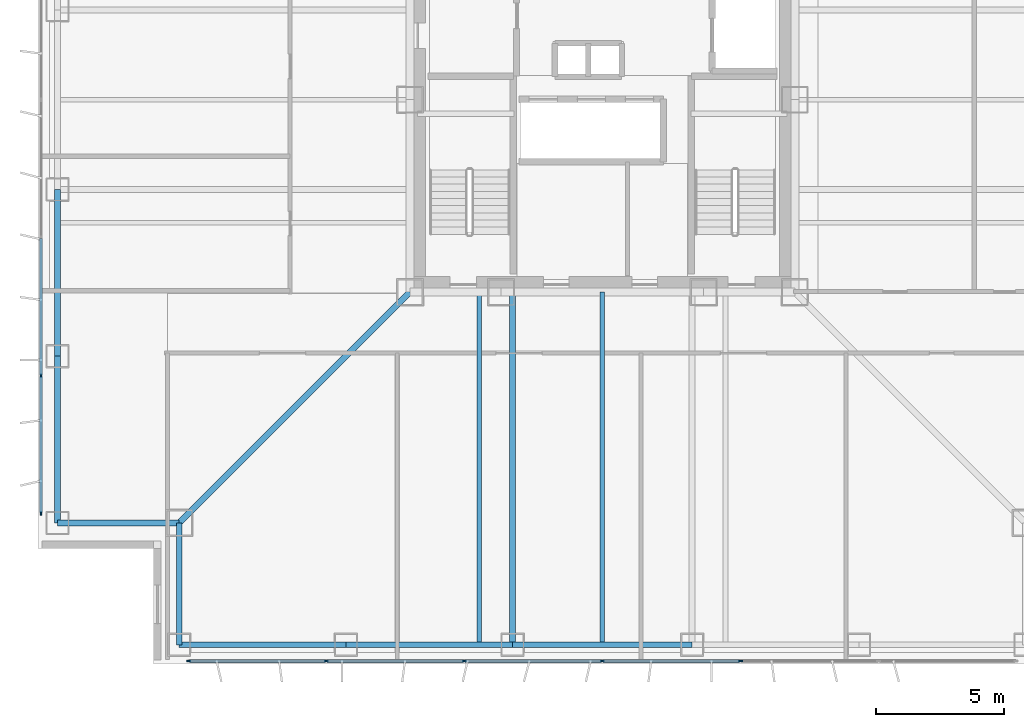
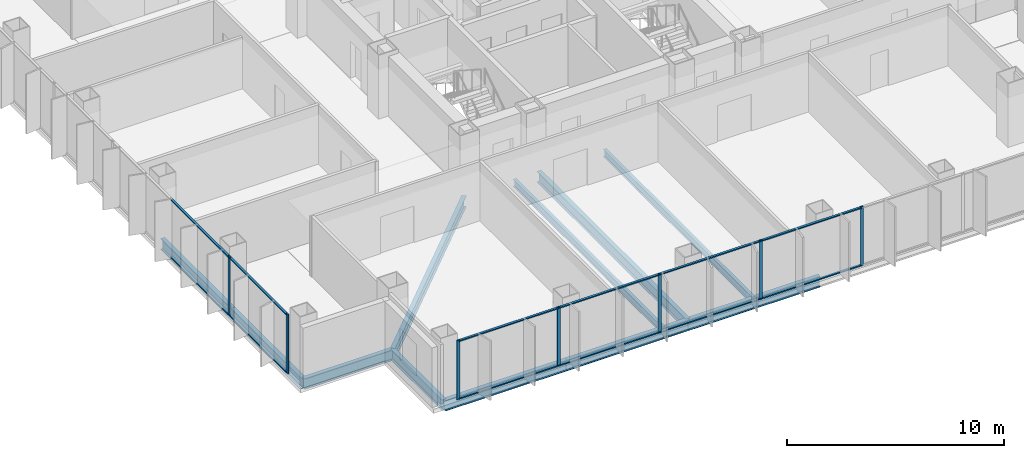
# One storey, part 2 of 14: 19 members, 11 beams, 2 elements without a shape of their own.
"""IFC4 building model written with IfcOpenShell, lengths in metres."""

from ifc_helpers import new_model, si_unit, direction, frame, origin, origin_2d, place, context, subcontext, project, spatial, rectangle, i_section, extrude, material, layer, layer_set, material_profile, profile_set, type_object, element, aggregate, save


model = new_model("IFC4")

# Units and contexts
model_context = context("Model", 3, precision=1e-05, world=origin(), true_north=direction((0.0, 1.0)))
body_context = subcontext(model_context, "Body", "Model", "MODEL_VIEW")
ifc_project = project(units=[si_unit("LENGTHUNIT", "METRE"), si_unit("AREAUNIT", "SQUARE_METRE"), si_unit("VOLUMEUNIT", "CUBIC_METRE"), si_unit("PLANEANGLEUNIT", "RADIAN"), si_unit("MASSUNIT", "GRAM", prefix="KILO")], contexts=[model_context])

# Site, building, storey
site_placement = place(None, origin())
site = spatial("IfcSite", under=ifc_project, at=site_placement, CompositionType="ELEMENT")
building_placement = place(site_placement, origin())
building = spatial("IfcBuilding", under=site, at=building_placement, Name="Trevonay Congress Spire", CompositionType="ELEMENT")
storey_placement = place(building_placement, frame((0.0, 0.0, 137.199951171875)))
storey = spatial("IfcBuildingStorey", under=building, at=storey_placement, Name="L35", CompositionType="ELEMENT", Elevation=137.199951171875)

# Beams
ifc_material_1 = material(Name="Steel ASTM A572 Grade 50", Category="steel")
ifc_material_profile_1 = material_profile(ifc_material_1, i_section(OverallWidth=0.22998046875, OverallDepth=0.616943359375, WebThickness=0.01318359375, FlangeThickness=0.022216796875, FilletRadius=0.01611328125, at=origin_2d()), Name="W610x140")
ifc_profile_set_1 = profile_set([ifc_material_profile_1], Name="Steel ASTM A572 Grade 50")
beam_type_1 = type_object("IfcBeamType", Name="BM-GIRD-W610X140", PredefinedType="BEAM", material=ifc_profile_set_1)
beam_1_placement = place(storey_placement, frame((-7.5, -7.5, -0.54833984375), z_axis=(-0.707106781187, -0.707106781187, 0.0), x_axis=(0.707106781187, -0.707106781187, 0.0)))
element("IfcBeam", 1, at=beam_1_placement, inside=storey, type_object=beam_type_1, Name="L35 structural beam BM-L35-CDSW", PredefinedType="BEAM", context=body_context, shape_type="SweptSolid", body=[
    extrude(i_section(OverallWidth=0.22998046875, OverallDepth=0.616943359375, WebThickness=0.01318359375, FlangeThickness=0.022216796875, FilletRadius=0.01611328125, at=origin_2d()), origin(), (0.0, 0.0, 1.0), 12.72802734375),
])
beam_2_placement = place(storey_placement, frame((-3.5, -7.5, -0.54833984375), z_axis=(0.0, -1.0, 0.0), x_axis=(1.0, 0.0, 0.0)))
element("IfcBeam", 2, at=beam_2_placement, inside=storey, type_object=beam_type_1, Name="L35 structural beam BM-L35-GS-M", PredefinedType="BEAM", context=body_context, shape_type="SweptSolid", body=[
    extrude(i_section(OverallWidth=0.22998046875, OverallDepth=0.616943359375, WebThickness=0.01318359375, FlangeThickness=0.022216796875, FilletRadius=0.01611328125, at=origin_2d()), origin(), (0.0, 0.0, 1.0), 13.75),
])
ifc_material_profile_2 = material_profile(ifc_material_1, i_section(OverallWidth=0.22802734375, OverallDepth=0.60791015625, WebThickness=0.01123046875, FlangeThickness=0.017333984375, FilletRadius=0.01611328125, at=origin_2d()), Name="W610x113")
ifc_profile_set_2 = profile_set([ifc_material_profile_2], Name="Steel ASTM A572 Grade 50")
beam_type_2 = type_object("IfcBeamType", Name="BM-RING-W610X113", PredefinedType="BEAM", material=ifc_profile_set_2)
for number, where, z_axis, x_axis, name in (
    (3, (-16.5, -21.25, -0.5439453125), (1.0, 0.0, 0.0), (0.0, 1.0, 0.0), "L35 structural beam BM-L35-PS1"),
    (4, (-21.25, -16.5, -0.5439453125), (0.0, 1.0, 0.0), (-1.0, 0.0, 0.0), "L35 structural beam BM-L35-PW1"),
    (5, (-10.0, -21.25, -0.5439453125), (1.0, 0.0, 0.0), (0.0, 1.0, 0.0), "L35 structural beam BM-L35-PS2"),
    (6, (-21.25, -10.0, -0.5439453125), (0.0, 1.0, 0.0), (-1.0, 0.0, 0.0), "L35 structural beam BM-L35-PW2"),
):
    element("IfcBeam", number, at=place(storey_placement, frame(where, z_axis=z_axis, x_axis=x_axis)), inside=storey, type_object=beam_type_2, Name=name, PredefinedType="BEAM", context=body_context, shape_type="SweptSolid", body=[
        extrude(i_section(OverallWidth=0.22802734375, OverallDepth=0.60791015625, WebThickness=0.01123046875, FlangeThickness=0.017333984375, FilletRadius=0.01611328125, at=origin_2d()), origin(), (0.0, 0.0, 1.0), 6.5),
    ])
beam_3_placement = place(storey_placement, frame((-3.5, -21.25, -0.5439453125), z_axis=(1.0, 0.0, 0.0), x_axis=(0.0, 1.0, 0.0)))
element("IfcBeam", 7, at=beam_3_placement, inside=storey, type_object=beam_type_2, Name="L35 structural beam BM-L35-PS3", PredefinedType="BEAM", context=body_context, shape_type="SweptSolid", body=[
    extrude(i_section(OverallWidth=0.22802734375, OverallDepth=0.60791015625, WebThickness=0.01123046875, FlangeThickness=0.017333984375, FilletRadius=0.01611328125, at=origin_2d()), origin(), (0.0, 0.0, 1.0), 7.0),
])
for number, where, z_axis, x_axis, name in (
    (8, (-16.5, -21.25, -0.5439453125), (0.0, 1.0, 0.0), (-1.0, 0.0, 0.0), "L35 structural beam BM-L35-N1SW"),
    (9, (-21.25, -16.5, -0.5439453125), (1.0, 0.0, 0.0), (0.0, 1.0, 0.0), "L35 structural beam BM-L35-N2SW"),
):
    element("IfcBeam", number, at=place(storey_placement, frame(where, z_axis=z_axis, x_axis=x_axis)), inside=storey, type_object=beam_type_2, Name=name, PredefinedType="BEAM", context=body_context, shape_type="SweptSolid", body=[
        extrude(i_section(OverallWidth=0.22802734375, OverallDepth=0.60791015625, WebThickness=0.01123046875, FlangeThickness=0.017333984375, FilletRadius=0.01611328125, at=origin_2d()), origin(), (0.0, 0.0, 1.0), 4.75),
    ])

# Curtain wall, members
ifc_material_2 = material(Name="Pale Anodised Aluminium EN AW-6063-T6", Category="aluminium")
ifc_layer = layer(ifc_material_2, 0.175048828125, Name="Pale Anodised Aluminium EN AW-6063-T6")
ifc_layer_set = layer_set([ifc_layer], Name="Pale Anodised Aluminium EN AW-6063-T6")
curtain_wall_type = type_object("IfcCurtainWallType", Name="CW-SYS03-CONGRESS-PALE-METAL", PredefinedType="NOTDEFINED", material=ifc_layer_set)
curtain_wall_1_placement = place(storey_placement, origin())
curtain_wall_1 = element("IfcCurtainWall", 10, at=curtain_wall_1_placement, inside=storey, type_object=curtain_wall_type, Name="L35 S unitised curtain wall", PredefinedType="NOTDEFINED")
ifc_material_profile_3 = material_profile(ifc_material_2, rectangle(XDim=0.06005859375, YDim=0.159912109375, at=origin_2d()), Name="CW-MULLION-160-ALUMINIUM")
ifc_profile_set_3 = profile_set([ifc_material_profile_3], Name="Pale Anodised Aluminium EN AW-6063-T6")
member_type_1 = type_object("IfcMemberType", Name="CW-MULLION-160-ALUMINIUM", PredefinedType="MULLION", material=ifc_profile_set_3)
member_1_placement = place(storey_placement, frame((-16.1201171875, -21.8798828125, 0.0), z_axis=(0.0, 0.0, 1.0), x_axis=(0.0, 1.0, 0.0)))
member_1 = element("IfcMember", 11, at=member_1_placement, type_object=member_type_1, Name="CW03 mullion 1", PredefinedType="MULLION", context=body_context, shape_type="SweptSolid", body=[
    extrude(rectangle(XDim=0.06005859375, YDim=0.159912109375, at=origin_2d()), origin(), (0.0, 0.0, 1.0), 3.360107421875),
])
member_2_placement = place(storey_placement, frame((-10.7666015625, -21.8798828125, 0.0), z_axis=(0.0, 0.0, 1.0), x_axis=(0.0, 1.0, 0.0)))
member_2 = element("IfcMember", 12, at=member_2_placement, type_object=member_type_1, Name="CW03 mullion 2", PredefinedType="MULLION", context=body_context, shape_type="SweptSolid", body=[
    extrude(rectangle(XDim=0.06005859375, YDim=0.159912109375, at=origin_2d()), origin(), (0.0, 0.0, 1.0), 3.360107421875),
])
member_3_placement = place(storey_placement, frame((-5.38330078125, -21.8798828125, 0.0), z_axis=(0.0, 0.0, 1.0), x_axis=(0.0, 1.0, 0.0)))
member_3 = element("IfcMember", 13, at=member_3_placement, type_object=member_type_1, Name="CW03 mullion 3", PredefinedType="MULLION", context=body_context, shape_type="SweptSolid", body=[
    extrude(rectangle(XDim=0.06005859375, YDim=0.159912109375, at=origin_2d()), origin(), (0.0, 0.0, 1.0), 3.360107421875),
])
member_4_placement = place(storey_placement, frame((0.0, -21.8798828125, 0.0), z_axis=(0.0, 0.0, 1.0), x_axis=(0.0, 1.0, 0.0)))
member_4 = element("IfcMember", 14, at=member_4_placement, type_object=member_type_1, Name="CW03 mullion 4", PredefinedType="MULLION", context=body_context, shape_type="SweptSolid", body=[
    extrude(rectangle(XDim=0.06005859375, YDim=0.159912109375, at=origin_2d()), origin(), (0.0, 0.0, 1.0), 3.360107421875),
])
member_5_placement = place(storey_placement, frame((5.38330078125, -21.8798828125, 0.0), z_axis=(0.0, 0.0, 1.0), x_axis=(0.0, 1.0, 0.0)))
member_5 = element("IfcMember", 15, at=member_5_placement, type_object=member_type_1, Name="CW03 mullion 5", PredefinedType="MULLION", context=body_context, shape_type="SweptSolid", body=[
    extrude(rectangle(XDim=0.06005859375, YDim=0.159912109375, at=origin_2d()), origin(), (0.0, 0.0, 1.0), 3.360107421875),
])

curtain_wall_2_placement = place(storey_placement, origin())
curtain_wall_2 = element("IfcCurtainWall", 16, at=curtain_wall_2_placement, inside=storey, type_object=curtain_wall_type, Name="L35 W unitised curtain wall", PredefinedType="NOTDEFINED")
member_6_placement = place(storey_placement, frame((-21.8798828125, -16.1201171875, 0.0), z_axis=(0.0, 0.0, 1.0), x_axis=(-1.0, 0.0, 0.0)))
member_6 = element("IfcMember", 17, at=member_6_placement, type_object=member_type_1, Name="CW03 mullion 1", PredefinedType="MULLION", context=body_context, shape_type="SweptSolid", body=[
    extrude(rectangle(XDim=0.06005859375, YDim=0.159912109375, at=origin_2d()), origin(), (0.0, 0.0, 1.0), 3.360107421875),
])
member_7_placement = place(storey_placement, frame((-21.8798828125, -10.7666015625, 0.0), z_axis=(0.0, 0.0, 1.0), x_axis=(-1.0, 0.0, 0.0)))
member_7 = element("IfcMember", 18, at=member_7_placement, type_object=member_type_1, Name="CW03 mullion 2", PredefinedType="MULLION", context=body_context, shape_type="SweptSolid", body=[
    extrude(rectangle(XDim=0.06005859375, YDim=0.159912109375, at=origin_2d()), origin(), (0.0, 0.0, 1.0), 3.360107421875),
])

# Member
ifc_material_profile_4 = material_profile(ifc_material_2, rectangle(XDim=0.1201171875, YDim=0.06005859375, at=origin_2d()), Name="CW-TRANSOM-120-ALUMINIUM")
ifc_profile_set_4 = profile_set([ifc_material_profile_4], Name="Pale Anodised Aluminium EN AW-6063-T6")
member_type_2 = type_object("IfcMemberType", Name="CW-TRANSOM-120-ALUMINIUM", PredefinedType="USERDEFINED", material=ifc_profile_set_4)
member_8_placement = place(storey_placement, frame((-16.090087890625, -21.8798828125, 0.06005859375), z_axis=(1.0, 0.0, 0.0), x_axis=(0.0, 1.0, 0.0)))
member_8 = element("IfcMember", 19, at=member_8_placement, type_object=member_type_2, Name="CW03 transom 1.1", ObjectType="TRANSOM", PredefinedType="USERDEFINED", context=body_context, shape_type="SweptSolid", body=[
    extrude(rectangle(XDim=0.1201171875, YDim=0.06005859375, at=origin_2d()), origin(), (0.0, 0.0, 1.0), 5.29345703125),
])

member_9_placement = place(storey_placement, frame((-16.090087890625, -21.8798828125, 3.300048828125), z_axis=(1.0, 0.0, 0.0), x_axis=(0.0, 1.0, 0.0)))
member_9 = element("IfcMember", 20, at=member_9_placement, type_object=member_type_2, Name="CW03 transom 1.2", ObjectType="TRANSOM", PredefinedType="USERDEFINED", context=body_context, shape_type="SweptSolid", body=[
    extrude(rectangle(XDim=0.1201171875, YDim=0.06005859375, at=origin_2d()), origin(), (0.0, 0.0, 1.0), 5.29345703125),
])

member_10_placement = place(storey_placement, frame((-10.736572265625, -21.8798828125, 0.06005859375), z_axis=(1.0, 0.0, 0.0), x_axis=(0.0, 1.0, 0.0)))
member_10 = element("IfcMember", 21, at=member_10_placement, type_object=member_type_2, Name="CW03 transom 2.1", ObjectType="TRANSOM", PredefinedType="USERDEFINED", context=body_context, shape_type="SweptSolid", body=[
    extrude(rectangle(XDim=0.1201171875, YDim=0.06005859375, at=origin_2d()), origin(), (0.0, 0.0, 1.0), 5.3232421875),
])

member_11_placement = place(storey_placement, frame((-10.736572265625, -21.8798828125, 3.300048828125), z_axis=(1.0, 0.0, 0.0), x_axis=(0.0, 1.0, 0.0)))
member_11 = element("IfcMember", 22, at=member_11_placement, type_object=member_type_2, Name="CW03 transom 2.2", ObjectType="TRANSOM", PredefinedType="USERDEFINED", context=body_context, shape_type="SweptSolid", body=[
    extrude(rectangle(XDim=0.1201171875, YDim=0.06005859375, at=origin_2d()), origin(), (0.0, 0.0, 1.0), 5.3232421875),
])

member_12_placement = place(storey_placement, frame((-5.353271484375, -21.8798828125, 0.06005859375), z_axis=(1.0, 0.0, 0.0), x_axis=(0.0, 1.0, 0.0)))
member_12 = element("IfcMember", 23, at=member_12_placement, type_object=member_type_2, Name="CW03 transom 3.1", ObjectType="TRANSOM", PredefinedType="USERDEFINED", context=body_context, shape_type="SweptSolid", body=[
    extrude(rectangle(XDim=0.1201171875, YDim=0.06005859375, at=origin_2d()), origin(), (0.0, 0.0, 1.0), 5.3232421875),
])

member_13_placement = place(storey_placement, frame((-5.353271484375, -21.8798828125, 3.300048828125), z_axis=(1.0, 0.0, 0.0), x_axis=(0.0, 1.0, 0.0)))
member_13 = element("IfcMember", 24, at=member_13_placement, type_object=member_type_2, Name="CW03 transom 3.2", ObjectType="TRANSOM", PredefinedType="USERDEFINED", context=body_context, shape_type="SweptSolid", body=[
    extrude(rectangle(XDim=0.1201171875, YDim=0.06005859375, at=origin_2d()), origin(), (0.0, 0.0, 1.0), 5.3232421875),
])

member_14_placement = place(storey_placement, frame((0.030029296875, -21.8798828125, 0.06005859375), z_axis=(1.0, 0.0, 0.0), x_axis=(0.0, 1.0, 0.0)))
member_14 = element("IfcMember", 25, at=member_14_placement, type_object=member_type_2, Name="CW03 transom 4.1", ObjectType="TRANSOM", PredefinedType="USERDEFINED", context=body_context, shape_type="SweptSolid", body=[
    extrude(rectangle(XDim=0.1201171875, YDim=0.06005859375, at=origin_2d()), origin(), (0.0, 0.0, 1.0), 5.3232421875),
])

member_15_placement = place(storey_placement, frame((0.030029296875, -21.8798828125, 3.300048828125), z_axis=(1.0, 0.0, 0.0), x_axis=(0.0, 1.0, 0.0)))
member_15 = element("IfcMember", 26, at=member_15_placement, type_object=member_type_2, Name="CW03 transom 4.2", ObjectType="TRANSOM", PredefinedType="USERDEFINED", context=body_context, shape_type="SweptSolid", body=[
    extrude(rectangle(XDim=0.1201171875, YDim=0.06005859375, at=origin_2d()), origin(), (0.0, 0.0, 1.0), 5.3232421875),
])

aggregate(curtain_wall_1, [member_1, member_2, member_3, member_4, member_5, member_8, member_9, member_10, member_11, member_12, member_13, member_14, member_15])

member_16_placement = place(storey_placement, frame((-21.8798828125, -16.090087890625, 0.06005859375), z_axis=(0.0, 1.0, 0.0), x_axis=(-1.0, 0.0, 0.0)))
member_16 = element("IfcMember", 27, at=member_16_placement, type_object=member_type_2, Name="CW03 transom 1.1", ObjectType="TRANSOM", PredefinedType="USERDEFINED", context=body_context, shape_type="SweptSolid", body=[
    extrude(rectangle(XDim=0.1201171875, YDim=0.06005859375, at=origin_2d()), origin(), (0.0, 0.0, 1.0), 5.29345703125),
])

member_17_placement = place(storey_placement, frame((-21.8798828125, -16.090087890625, 3.300048828125), z_axis=(0.0, 1.0, 0.0), x_axis=(-1.0, 0.0, 0.0)))
member_17 = element("IfcMember", 28, at=member_17_placement, type_object=member_type_2, Name="CW03 transom 1.2", ObjectType="TRANSOM", PredefinedType="USERDEFINED", context=body_context, shape_type="SweptSolid", body=[
    extrude(rectangle(XDim=0.1201171875, YDim=0.06005859375, at=origin_2d()), origin(), (0.0, 0.0, 1.0), 5.29345703125),
])

member_18_placement = place(storey_placement, frame((-21.8798828125, -10.736572265625, 0.06005859375), z_axis=(0.0, 1.0, 0.0), x_axis=(-1.0, 0.0, 0.0)))
member_18 = element("IfcMember", 29, at=member_18_placement, type_object=member_type_2, Name="CW03 transom 2.1", ObjectType="TRANSOM", PredefinedType="USERDEFINED", context=body_context, shape_type="SweptSolid", body=[
    extrude(rectangle(XDim=0.1201171875, YDim=0.06005859375, at=origin_2d()), origin(), (0.0, 0.0, 1.0), 5.3232421875),
])

member_19_placement = place(storey_placement, frame((-21.8798828125, -10.736572265625, 3.300048828125), z_axis=(0.0, 1.0, 0.0), x_axis=(-1.0, 0.0, 0.0)))
member_19 = element("IfcMember", 30, at=member_19_placement, type_object=member_type_2, Name="CW03 transom 2.2", ObjectType="TRANSOM", PredefinedType="USERDEFINED", context=body_context, shape_type="SweptSolid", body=[
    extrude(rectangle(XDim=0.1201171875, YDim=0.06005859375, at=origin_2d()), origin(), (0.0, 0.0, 1.0), 5.3232421875),
])

aggregate(curtain_wall_2, [member_6, member_7, member_16, member_17, member_18, member_19])

# Beams
ifc_material_profile_5 = material_profile(ifc_material_1, i_section(OverallWidth=0.177978515625, OverallDepth=0.406982421875, WebThickness=0.0078125, FlangeThickness=0.0126953125, FilletRadius=0.012939453125, at=origin_2d()), Name="W410x60")
ifc_profile_set_5 = profile_set([ifc_material_profile_5], Name="Steel ASTM A572 Grade 50")
beam_type_3 = type_object("IfcBeamType", Name="JS-COMP-W410X60", PredefinedType="JOIST", material=ifc_profile_set_5)
for number, where, z_axis, x_axis, name in (
    (31, (-4.800048828125, -21.25, -0.443359375), (0.0, 1.0, 0.0), (-1.0, 0.0, 0.0), "L35 structural beam JS-L35-NS-S1"),
    (32, (0.0, -21.25, -0.443359375), (0.0, 1.0, 0.0), (-1.0, 0.0, 0.0), "L35 structural beam JS-L35-NS-S2"),
):
    element("IfcBeam", number, at=place(storey_placement, frame(where, z_axis=z_axis, x_axis=x_axis)), inside=storey, type_object=beam_type_3, Name=name, PredefinedType="JOIST", context=body_context, shape_type="SweptSolid", body=[
        extrude(i_section(OverallWidth=0.177978515625, OverallDepth=0.406982421875, WebThickness=0.0078125, FlangeThickness=0.0126953125, FilletRadius=0.012939453125, at=origin_2d()), origin(), (0.0, 0.0, 1.0), 13.75),
    ])

save(model, "model.ifc")
